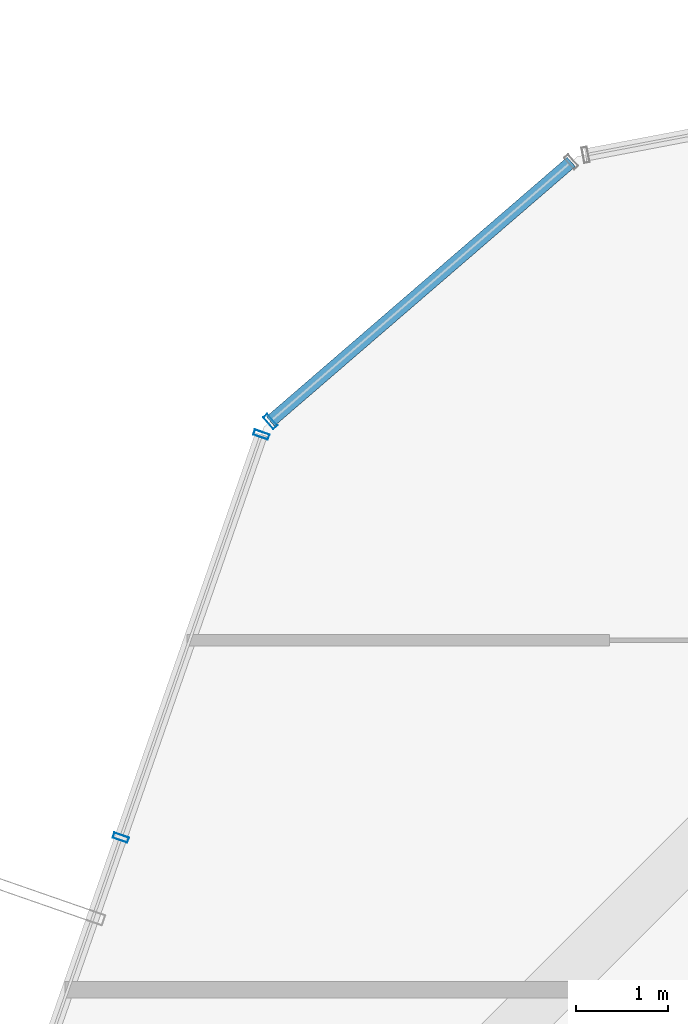
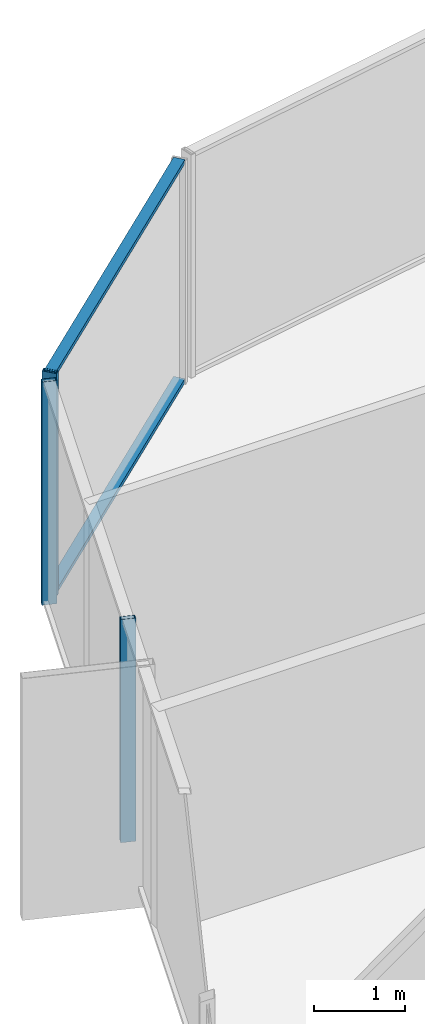
# One storey, part 21 of 38: 5 members, 2 elements without a shape of their own.
"""IFC4 building model written with IfcOpenShell, lengths in metres."""

from ifc_helpers import new_model, si_unit, direction, frame, origin, origin_2d, place, context, subcontext, project, spatial, hollow_rectangle, extrude, source, transform, mapped, material, layer, layer_set, material_profile, profile_set, type_object, element, aggregate, save


model = new_model("IFC4")

# Units and contexts
model_context = context("Model", 3, precision=1e-05, world=origin(), true_north=direction((0.0, 1.0)))
body_context = subcontext(model_context, "Body", "Model", "MODEL_VIEW")
ifc_project = project(units=[si_unit("LENGTHUNIT", "METRE"), si_unit("AREAUNIT", "SQUARE_METRE"), si_unit("VOLUMEUNIT", "CUBIC_METRE"), si_unit("PLANEANGLEUNIT", "RADIAN"), si_unit("MASSUNIT", "GRAM", prefix="KILO")], contexts=[model_context])

# Site, building, storey
site_placement = place(None, origin())
site = spatial("IfcSite", under=ifc_project, at=site_placement, CompositionType="ELEMENT")
building_placement = place(site_placement, origin())
building = spatial("IfcBuilding", under=site, at=building_placement, Name="Veraguas Prism Commons", CompositionType="ELEMENT")
storey_placement = place(building_placement, frame((0.0, 0.0, 60.85009765625)))
storey = spatial("IfcBuildingStorey", under=building, at=storey_placement, Name="L16", CompositionType="ELEMENT", Elevation=60.85009765625)

# Curtain wall, members
ifc_material = material(Name="Anodised aluminium EN AW-6063 T6", Category="aluminium")
ifc_layer = layer(ifc_material, 0.169921875, Name="Unitised Flush Curtain Wall Zone 1", Category="aluminium")
ifc_layer_set = layer_set([ifc_layer], Name="Anodised aluminium EN AW-6063 T6")
curtain_wall_type = type_object("IfcCurtainWallType", Name="Unitised Flush Curtain Wall Zone 1", PredefinedType="NOTDEFINED", material=ifc_layer_set)
curtain_wall_1_placement = place(storey_placement, origin())
curtain_wall_1 = element("IfcCurtainWall", 1, at=curtain_wall_1_placement, inside=storey, type_object=curtain_wall_type, Name="Tower Facade Curtain Wall L16-F3", PredefinedType="NOTDEFINED")
ifc_material_profile_1 = material_profile(ifc_material, hollow_rectangle(XDim=0.06005859375, YDim=0.169921875, WallThickness=0.00390625, at=origin_2d()), Name="AL60X170X4")
ifc_profile_set_1 = profile_set([ifc_material_profile_1], Name="Anodised aluminium EN AW-6063 T6")
member_type_1 = type_object("IfcMemberType", Name="Curtain Wall Mullion Lower AL 60x170x4", PredefinedType="MULLION", material=ifc_profile_set_1)
shared_shape_1 = source(origin(), body_context, "Body", "SweptSolid", [
    extrude(hollow_rectangle(XDim=0.06005859375, YDim=0.169921875, WallThickness=0.00390625, at=origin_2d()), origin(), (0.0, 0.0, 1.0), 3.0),
])
member_1_placement = place(storey_placement, frame((7.439208984375, 39.635009765625, 0.0), z_axis=(0.0, 0.0, 1.0), x_axis=(-0.329194628189, -0.944262091144, 0.0)))
member_1 = element("IfcMember", 2, at=member_1_placement, type_object=member_type_1, Name="CW-Z1 Mullion 1", PredefinedType="MULLION", context=body_context, shape_type="MappedRepresentation", body=[
    mapped(shared_shape_1, transform((0.0, 0.0, 0.0), scale=1.0)),
])
member_2_placement = place(storey_placement, frame((5.91162109375, 35.252685546875, 0.0), z_axis=(0.0, 0.0, 1.0), x_axis=(-0.329194628189, -0.944262091144, 0.0)))
member_2 = element("IfcMember", 3, at=member_2_placement, type_object=member_type_1, Name="CW-Z1 Mullion 2", PredefinedType="MULLION", context=body_context, shape_type="MappedRepresentation", body=[
    mapped(shared_shape_1, transform((0.0, 0.0, 0.0), scale=1.0)),
])
aggregate(curtain_wall_1, [member_1, member_2])

curtain_wall_2_placement = place(storey_placement, origin())
curtain_wall_2 = element("IfcCurtainWall", 4, at=curtain_wall_2_placement, inside=storey, type_object=curtain_wall_type, Name="Chamfer Curtain Wall L16-C3", PredefinedType="NOTDEFINED")
member_3_placement = place(storey_placement, frame((7.537109375, 39.77880859375, 0.0), z_axis=(0.0, 0.0, 1.0), x_axis=(-0.757232216056, -0.653145750171, 0.0)))
member_3 = element("IfcMember", 5, at=member_3_placement, type_object=member_type_1, Name="CW-Z1 Mullion 2", PredefinedType="MULLION", context=body_context, shape_type="MappedRepresentation", body=[
    mapped(shared_shape_1, transform((0.0, 0.0, 0.0), scale=1.0)),
])
ifc_material_profile_2 = material_profile(ifc_material, hollow_rectangle(XDim=0.054931640625, YDim=0.135009765625, WallThickness=0.0029296875, at=origin_2d()), Name="AL55X135X3")
ifc_profile_set_2 = profile_set([ifc_material_profile_2], Name="Anodised aluminium EN AW-6063 T6")
member_type_2 = type_object("IfcMemberType", Name="Curtain Wall Transom Standard AL 55x135x3", PredefinedType="USERDEFINED", material=ifc_profile_set_2)
shared_shape_2 = source(origin(), body_context, "Body", "SweptSolid", [
    extrude(hollow_rectangle(XDim=0.054931640625, YDim=0.135009765625, WallThickness=0.0029296875, at=origin_2d()), origin(), (0.0, 0.0, 1.0), 4.320068359375),
])
member_4_placement = place(storey_placement, frame((10.808349609375, 42.6005859375, 0.02734375), z_axis=(-0.757210436499, -0.653170999706, 0.0), x_axis=(0.0, 0.0, 1.0)))
member_4 = element("IfcMember", 6, at=member_4_placement, type_object=member_type_2, Name="CW-Z1 Transom 1", ObjectType="TRANSOM", PredefinedType="USERDEFINED", context=body_context, shape_type="MappedRepresentation", body=[
    mapped(shared_shape_2, transform((0.0, 0.0, 0.0), scale=1.0)),
])
member_5_placement = place(storey_placement, frame((10.808349609375, 42.6005859375, 2.972412109375), z_axis=(-0.757210436499, -0.653170999706, 0.0), x_axis=(0.0, 0.0, 1.0)))
member_5 = element("IfcMember", 7, at=member_5_placement, type_object=member_type_2, Name="CW-Z1 Transom 2", ObjectType="TRANSOM", PredefinedType="USERDEFINED", context=body_context, shape_type="MappedRepresentation", body=[
    mapped(shared_shape_2, transform((0.0, 0.0, 0.0), scale=1.0)),
])
aggregate(curtain_wall_2, [member_3, member_4, member_5])

save(model, "model.ifc")
